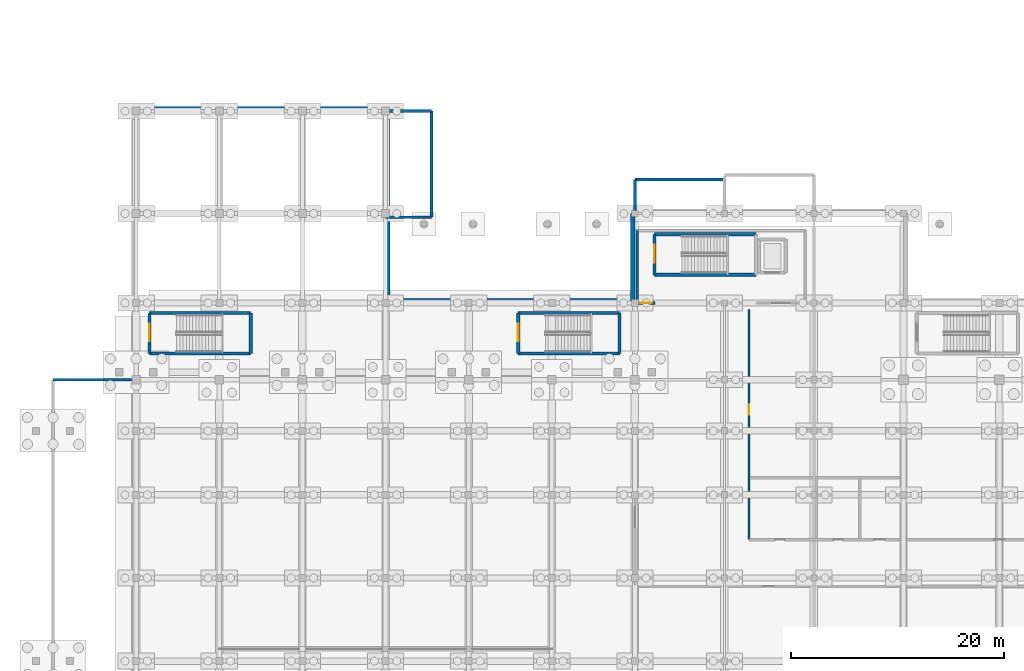
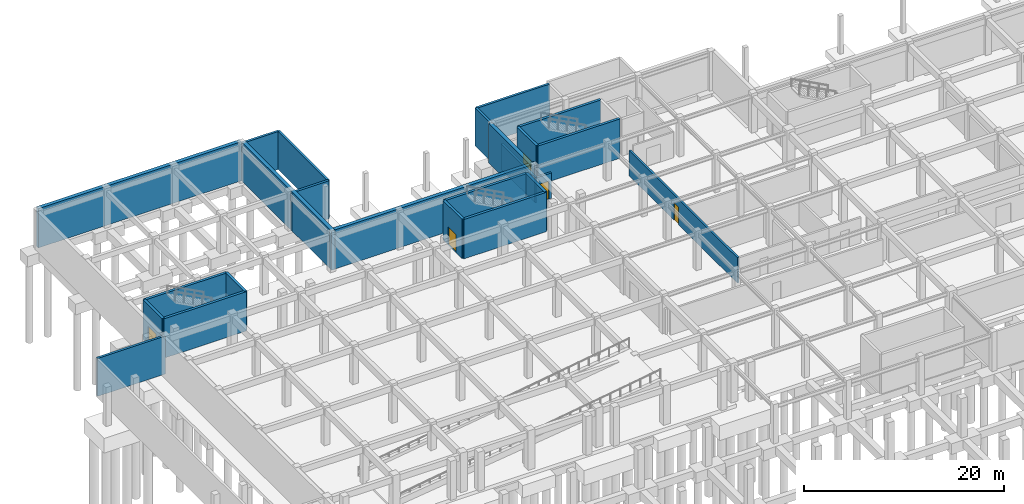
# One storey, part 18 of 26: 24 walls, 5 doors, 5 openings.
"""IFC4 building model written with IfcOpenShell, lengths in metres."""

from ifc_helpers import new_model, si_unit, direction, frame, frame_2d, origin, place, context, subcontext, project, spatial, rectangle, extrude, material, layer, layer_set, type_object, element, fill, save


model = new_model("IFC4")

# Units and contexts
model_context = context("Model", 3, precision=1e-05, world=origin(), true_north=direction((0.0, 1.0)))
body_context = subcontext(model_context, "Body", "Model", "MODEL_VIEW")
ifc_project = project(units=[si_unit("LENGTHUNIT", "METRE"), si_unit("AREAUNIT", "SQUARE_METRE"), si_unit("VOLUMEUNIT", "CUBIC_METRE"), si_unit("PLANEANGLEUNIT", "RADIAN"), si_unit("MASSUNIT", "GRAM", prefix="KILO")], contexts=[model_context])

# Site, building, storey
site_placement = place(None, origin())
site = spatial("IfcSite", under=ifc_project, at=site_placement, CompositionType="ELEMENT")
building_placement = place(site_placement, origin())
building = spatial("IfcBuilding", under=site, at=building_placement, Name="Tizgana Railside Sports Hall", CompositionType="ELEMENT")
storey_placement = place(building_placement, frame((0.0, 0.0, -4.800048828125)))
storey = spatial("IfcBuildingStorey", under=building, at=storey_placement, Name="B1", CompositionType="ELEMENT", Elevation=-4.800048828125)

# Walls
ifc_material_1 = material(Name="Concrete C35/45", Category="concrete")
ifc_layer_1 = layer(ifc_material_1, 0.419921875, Name="Concrete C35/45")
ifc_layer_set_1 = layer_set([ifc_layer_1], Name="Concrete C35/45")
wall_type_1 = type_object("IfcWallType", Name="Basement Retaining Wall 420", PredefinedType="USERDEFINED", material=ifc_layer_set_1)
wall_1_placement = place(storey_placement, frame((54.3798828125, 88.800048828125, 0.0), z_axis=(0.0, 0.0, 1.0), x_axis=(0.0, -1.0, 0.0)))
element("IfcWall", 1, at=wall_1_placement, inside=storey, type_object=wall_type_1, Name="B1 Retaining Wall WAL-0012", ObjectType="RETAINING", PredefinedType="USERDEFINED", context=body_context, shape_type="SweptSolid", body=[
    extrude(rectangle(XDim=8.400146484375, YDim=0.419921875, at=frame_2d((4.2001953125, 0.0))), origin(), (0.0, 0.0, 1.0), 4.780029296875),
])
wall_2_placement = place(storey_placement, frame((54.794921875, 80.6201171875, 0.0), z_axis=(0.0, 0.0, 1.0), x_axis=(-1.0, 0.0, 0.0)))
element("IfcWall", 2, at=wall_2_placement, inside=storey, type_object=wall_type_1, Name="B1 Retaining Wall WAL-0013", ObjectType="RETAINING", PredefinedType="USERDEFINED", context=body_context, shape_type="SweptSolid", body=[
    extrude(rectangle(XDim=23.594970703125, YDim=0.419921875, at=frame_2d((11.79736328125, 0.0))), origin(), (0.0, 0.0, 1.0), 4.780029296875),
])
wall_3_placement = place(storey_placement, frame((31.419921875, 80.39990234375, 0.0), z_axis=(0.0, 0.0, 1.0), x_axis=(0.0, 1.0, 0.0)))
element("IfcWall", 3, at=wall_3_placement, inside=storey, type_object=wall_type_1, Name="B1 Retaining Wall WAL-0014", ObjectType="RETAINING", PredefinedType="USERDEFINED", context=body_context, shape_type="SweptSolid", body=[
    extrude(rectangle(XDim=18.0, YDim=0.419921875, at=frame_2d((9.0, 0.0))), origin(), (0.0, 0.0, 1.0), 4.780029296875),
])
wall_4_placement = place(storey_placement, frame((31.199951171875, 98.6201171875, 0.0), z_axis=(0.0, 0.0, 1.0), x_axis=(-1.0, 0.0, 0.0)))
element("IfcWall", 4, at=wall_4_placement, inside=storey, type_object=wall_type_1, Name="B1 Retaining Wall WAL-0015", ObjectType="RETAINING", PredefinedType="USERDEFINED", context=body_context, shape_type="SweptSolid", body=[
    extrude(rectangle(XDim=23.39990234375, YDim=0.419921875, at=frame_2d((11.699951171875, 0.0))), origin(), (0.0, 0.0, 1.0), 4.780029296875),
])
ifc_material_2 = material(Name="Concrete C40/50", Category="concrete")
ifc_layer_2 = layer(ifc_material_2, 0.300048828125, Name="Concrete C40/50")
ifc_layer_set_2 = layer_set([ifc_layer_2], Name="Concrete C40/50")
wall_type_2 = type_object("IfcWallType", Name="Core Shear Wall 300", PredefinedType="SHEAR", material=ifc_layer_set_2)
for number, where, z_axis, x_axis, name in (
    (5, (65.949951171875, 83.050048828125, 0.0), (0.0, 0.0, 1.0), (-1.0, 0.0, 0.0), "B1 C4 Shaft Wall S"),
    (6, (56.449951171875, 86.85009765625, 0.0), (0.0, 0.0, 1.0), (1.0, 0.0, 0.0), "B1 C4 Shaft Wall N"),
):
    element("IfcWall", number, at=place(storey_placement, frame(where, z_axis=z_axis, x_axis=x_axis)), inside=storey, type_object=wall_type_2, Name=name, PredefinedType="SHEAR", context=body_context, shape_type="SweptSolid", body=[
        extrude(rectangle(XDim=9.5, YDim=0.300048828125, at=frame_2d((4.75, 0.0))), origin(), (0.0, 0.0, 1.0), 4.800048828125),
    ])

# Wall, opening, door
wall_5_placement = place(storey_placement, frame((56.449951171875, 83.050048828125, 0.0), z_axis=(0.0, 0.0, 1.0), x_axis=(0.0, 1.0, 0.0)))
wall_5 = element("IfcWall", 7, at=wall_5_placement, inside=storey, type_object=wall_type_2, Name="B1 C4 Shaft Wall W", PredefinedType="SHEAR", context=body_context, shape_type="SweptSolid", body=[
    extrude(rectangle(XDim=3.800048828125, YDim=0.300048828125, at=frame_2d((1.89990234375, 0.0))), origin(), (0.0, 0.0, 1.0), 4.800048828125),
])
opening_1_placement = place(wall_5_placement, frame((1.14990234375, 0.0, 0.0)))
opening_1 = element("IfcOpeningElement", 8, at=opening_1_placement, cuts=wall_5, Name="Opening D-0071", PredefinedType="OPENING", context=body_context, shape_type="SweptSolid", body=[
    extrude(rectangle(XDim=1.64990234375, YDim=2.199951171875, at=frame_2d((0.824951171875, 1.10009765625))), frame((0.0, 0.159912109375, 0.0), z_axis=(0.0, -1.0, 0.0), x_axis=(1.0, 0.0, 0.0)), (0.0, 0.0, 1.0), 0.320068359375),
])
ifc_material_3 = material(Name="Timber fire leaf", Category="wood")
door_type_1 = type_object("IfcDoorType", Name="Stair Core Double Fire Door 1650x2200", OperationType="NOTDEFINED", PredefinedType="DOOR", material=ifc_material_3)
door_1_placement = place(opening_1_placement, origin())
door_1 = element("IfcDoor", 9, at=door_1_placement, inside=storey, type_object=door_type_1, Name="B1 Door D-0071", OperationType="DOUBLE_DOOR_SINGLE_SWING", OverallHeight=2.199951171875, OverallWidth=1.64990234375, PredefinedType="DOOR", context=body_context, shape_type="SweptSolid", body=[
    extrude(rectangle(XDim=1.64990234375, YDim=2.199951171875, at=frame_2d((0.824951171875, 1.10009765625))), frame((0.0, 0.02490234375, 0.0), z_axis=(0.0, -1.0, 0.0), x_axis=(1.0, 0.0, 0.0)), (0.0, 0.0, 1.0), 0.050048828125),
])
fill(opening_1, door_1)

# Walls
for number, where, z_axis, x_axis, name in (
    (10, (53.14990234375, 75.64990234375, 0.0), (0.0, 0.0, 1.0), (-1.0, 0.0, 0.0), "B1 C6 Shaft Wall S"),
    (11, (43.64990234375, 79.449951171875, 0.0), (0.0, 0.0, 1.0), (1.0, 0.0, 0.0), "B1 C6 Shaft Wall N"),
):
    element("IfcWall", number, at=place(storey_placement, frame(where, z_axis=z_axis, x_axis=x_axis)), inside=storey, type_object=wall_type_2, Name=name, PredefinedType="SHEAR", context=body_context, shape_type="SweptSolid", body=[
        extrude(rectangle(XDim=9.5, YDim=0.300048828125, at=frame_2d((4.75, 0.0))), origin(), (0.0, 0.0, 1.0), 4.800048828125),
    ])

# Wall, opening, door
wall_6_placement = place(storey_placement, frame((43.64990234375, 75.64990234375, 0.0), z_axis=(0.0, 0.0, 1.0), x_axis=(0.0, 1.0, 0.0)))
wall_6 = element("IfcWall", 12, at=wall_6_placement, inside=storey, type_object=wall_type_2, Name="B1 C6 Shaft Wall W", PredefinedType="SHEAR", context=body_context, shape_type="SweptSolid", body=[
    extrude(rectangle(XDim=3.800048828125, YDim=0.300048828125, at=frame_2d((1.89990234375, 0.0))), origin(), (0.0, 0.0, 1.0), 4.800048828125),
])
opening_2_placement = place(wall_6_placement, frame((1.14990234375, 0.0, 0.0)))
opening_2 = element("IfcOpeningElement", 13, at=opening_2_placement, cuts=wall_6, Name="Opening D-0087", PredefinedType="OPENING", context=body_context, shape_type="SweptSolid", body=[
    extrude(rectangle(XDim=1.64990234375, YDim=2.199951171875, at=frame_2d((0.824951171875, 1.10009765625))), frame((0.0, 0.159912109375, 0.0), z_axis=(0.0, -1.0, 0.0), x_axis=(1.0, 0.0, 0.0)), (0.0, 0.0, 1.0), 0.320068359375),
])
door_2_placement = place(opening_2_placement, origin())
door_2 = element("IfcDoor", 14, at=door_2_placement, inside=storey, type_object=door_type_1, Name="B1 Door D-0087", OperationType="DOUBLE_DOOR_SINGLE_SWING", OverallHeight=2.199951171875, OverallWidth=1.64990234375, PredefinedType="DOOR", context=body_context, shape_type="SweptSolid", body=[
    extrude(rectangle(XDim=1.64990234375, YDim=2.199951171875, at=frame_2d((0.824951171875, 1.10009765625))), frame((0.0, 0.02490234375, 0.0), z_axis=(0.0, -1.0, 0.0), x_axis=(1.0, 0.0, 0.0)), (0.0, 0.0, 1.0), 0.050048828125),
])
fill(opening_2, door_2)

# Walls
wall_7_placement = place(storey_placement, frame((53.14990234375, 75.64990234375, 0.0), z_axis=(0.0, 0.0, 1.0), x_axis=(0.0, 1.0, 0.0)))
element("IfcWall", 15, at=wall_7_placement, inside=storey, type_object=wall_type_2, Name="B1 C6 Shaft Wall E", PredefinedType="SHEAR", context=body_context, shape_type="SweptSolid", body=[
    extrude(rectangle(XDim=3.800048828125, YDim=0.300048828125, at=frame_2d((1.89990234375, 0.0))), origin(), (0.0, 0.0, 1.0), 4.800048828125),
])
for number, where, z_axis, x_axis, name in (
    (16, (18.550048828125, 75.64990234375, 0.0), (0.0, 0.0, 1.0), (-1.0, 0.0, 0.0), "B1 C7 Shaft Wall S"),
    (17, (9.050048828125, 79.449951171875, 0.0), (0.0, 0.0, 1.0), (1.0, 0.0, 0.0), "B1 C7 Shaft Wall N"),
):
    element("IfcWall", number, at=place(storey_placement, frame(where, z_axis=z_axis, x_axis=x_axis)), inside=storey, type_object=wall_type_2, Name=name, PredefinedType="SHEAR", context=body_context, shape_type="SweptSolid", body=[
        extrude(rectangle(XDim=9.5, YDim=0.300048828125, at=frame_2d((4.75, 0.0))), origin(), (0.0, 0.0, 1.0), 4.800048828125),
    ])

# Wall, opening, door
wall_8_placement = place(storey_placement, frame((9.050048828125, 75.64990234375, 0.0), z_axis=(0.0, 0.0, 1.0), x_axis=(0.0, 1.0, 0.0)))
wall_8 = element("IfcWall", 18, at=wall_8_placement, inside=storey, type_object=wall_type_2, Name="B1 C7 Shaft Wall W", PredefinedType="SHEAR", context=body_context, shape_type="SweptSolid", body=[
    extrude(rectangle(XDim=3.800048828125, YDim=0.300048828125, at=frame_2d((1.89990234375, 0.0))), origin(), (0.0, 0.0, 1.0), 4.800048828125),
])
opening_3_placement = place(wall_8_placement, frame((1.14990234375, 0.0, 0.0)))
opening_3 = element("IfcOpeningElement", 19, at=opening_3_placement, cuts=wall_8, Name="Opening D-0090", PredefinedType="OPENING", context=body_context, shape_type="SweptSolid", body=[
    extrude(rectangle(XDim=1.64990234375, YDim=2.199951171875, at=frame_2d((0.824951171875, 1.10009765625))), frame((0.0, 0.159912109375, 0.0), z_axis=(0.0, -1.0, 0.0), x_axis=(1.0, 0.0, 0.0)), (0.0, 0.0, 1.0), 0.320068359375),
])
door_3_placement = place(opening_3_placement, origin())
door_3 = element("IfcDoor", 20, at=door_3_placement, inside=storey, type_object=door_type_1, Name="B1 Door D-0090", OperationType="DOUBLE_DOOR_SINGLE_SWING", OverallHeight=2.199951171875, OverallWidth=1.64990234375, PredefinedType="DOOR", context=body_context, shape_type="SweptSolid", body=[
    extrude(rectangle(XDim=1.64990234375, YDim=2.199951171875, at=frame_2d((0.824951171875, 1.10009765625))), frame((0.0, 0.02490234375, 0.0), z_axis=(0.0, -1.0, 0.0), x_axis=(1.0, 0.0, 0.0)), (0.0, 0.0, 1.0), 0.050048828125),
])
fill(opening_3, door_3)

# Wall
wall_9_placement = place(storey_placement, frame((18.550048828125, 75.64990234375, 0.0), z_axis=(0.0, 0.0, 1.0), x_axis=(0.0, 1.0, 0.0)))
element("IfcWall", 21, at=wall_9_placement, inside=storey, type_object=wall_type_2, Name="B1 C7 Shaft Wall E", PredefinedType="SHEAR", context=body_context, shape_type="SweptSolid", body=[
    extrude(rectangle(XDim=3.800048828125, YDim=0.300048828125, at=frame_2d((1.89990234375, 0.0))), origin(), (0.0, 0.0, 1.0), 4.800048828125),
])

# Wall, opening, door
ifc_material_4 = material(Name="Masonry blockwork", Category="masonry")
ifc_layer_3 = layer(ifc_material_4, 0.219970703125, Name="Masonry blockwork")
ifc_layer_set_3 = layer_set([ifc_layer_3], Name="Masonry blockwork")
wall_type_3 = type_object("IfcWallType", Name="Equipment Store Fire Wall 220", PredefinedType="STANDARD", material=ifc_layer_set_3)
wall_10_placement = place(storey_placement, frame((65.300048828125, 58.199951171875, 0.0), z_axis=(0.0, 0.0, 1.0), x_axis=(0.0, 1.0, 0.0)))
wall_10 = element("IfcWall", 22, at=wall_10_placement, inside=storey, type_object=wall_type_3, Name="B1 Partition PWAL-0232", PredefinedType="STANDARD", context=body_context, shape_type="SweptSolid", body=[
    extrude(rectangle(XDim=21.60009765625, YDim=0.219970703125, at=frame_2d((10.800048828125, 0.0))), origin(), (0.0, 0.0, 1.0), 3.10009765625),
])
opening_4_placement = place(wall_10_placement, frame((11.7099609375, 0.0, 0.0)))
opening_4 = element("IfcOpeningElement", 23, at=opening_4_placement, cuts=wall_10, Name="Opening D-0232", PredefinedType="OPENING", context=body_context, shape_type="SweptSolid", body=[
    extrude(rectangle(XDim=0.97998046875, YDim=2.14990234375, at=frame_2d((0.489990234375, 1.074951171875))), frame((0.0, 0.119873046875, 0.0), z_axis=(0.0, -1.0, 0.0), x_axis=(1.0, 0.0, 0.0)), (0.0, 0.0, 1.0), 0.239990234375),
])
ifc_material_5 = material(Name="Solid beech timber", Category="wood")
door_type_2 = type_object("IfcDoorType", Name="Athlete Changing Room Door 980x2150", OperationType="NOTDEFINED", PredefinedType="DOOR", material=ifc_material_5)
door_4_placement = place(opening_4_placement, origin())
door_4 = element("IfcDoor", 24, at=door_4_placement, inside=storey, type_object=door_type_2, Name="B1 Door D-0232", OperationType="SINGLE_SWING_LEFT", OverallHeight=2.14990234375, OverallWidth=0.97998046875, PredefinedType="DOOR", context=body_context, shape_type="SweptSolid", body=[
    extrude(rectangle(XDim=0.97998046875, YDim=2.14990234375, at=frame_2d((0.489990234375, 1.074951171875))), frame((0.0, 0.02490234375, 0.0), z_axis=(0.0, -1.0, 0.0), x_axis=(1.0, 0.0, 0.0)), (0.0, 0.0, 1.0), 0.050048828125),
])
fill(opening_4, door_4)

# Walls
ifc_material_6 = material(Name="Precast concrete C40/50", Category="concrete")
ifc_layer_4 = layer(ifc_material_6, 0.27001953125, Name="Precast concrete C40/50")
ifc_layer_set_4 = layer_set([ifc_layer_4], Name="Precast concrete C40/50")
wall_type_4 = type_object("IfcWallType", Name="Exterior Studio Facade Wall 270", PredefinedType="STANDARD", material=ifc_layer_set_4)
wall_11_placement = place(storey_placement, frame((7.800048828125, 73.199951171875, 0.0), z_axis=(0.0, 0.0, 1.0), x_axis=(-1.0, 0.0, 0.0)))
element("IfcWall", 25, at=wall_11_placement, inside=storey, type_object=wall_type_4, Name="B1 Apron Plinth", PredefinedType="STANDARD", context=body_context, shape_type="SweptSolid", body=[
    extrude(rectangle(XDim=7.800048828125, YDim=0.27001953125, at=frame_2d((3.89990234375, 0.0))), origin(), (0.0, 0.0, 1.0), 4.630126953125),
])
wall_12_placement = place(storey_placement, frame((63.0, 92.0, 0.0), z_axis=(0.0, 0.0, 1.0), x_axis=(-1.0, 0.0, 0.0)))
element("IfcWall", 26, at=wall_12_placement, inside=storey, type_object=wall_type_4, Name="B1 Apron Plinth", PredefinedType="STANDARD", context=body_context, shape_type="SweptSolid", body=[
    extrude(rectangle(XDim=8.39990234375, YDim=0.27001953125, at=frame_2d((4.199951171875, 0.0))), origin(), (0.0, 0.0, 1.0), 4.630126953125),
])
wall_13_placement = place(storey_placement, frame((54.60009765625, 92.0, 0.0), z_axis=(0.0, 0.0, 1.0), x_axis=(0.0, -1.0, 0.0)))
element("IfcWall", 27, at=wall_13_placement, inside=storey, type_object=wall_type_4, Name="B1 Apron Plinth", PredefinedType="STANDARD", context=body_context, shape_type="SweptSolid", body=[
    extrude(rectangle(XDim=3.199951171875, YDim=0.27001953125, at=frame_2d((1.60009765625, 0.0))), origin(), (0.0, 0.0, 1.0), 4.630126953125),
])
wall_14_placement = place(storey_placement, frame((31.199951171875, 88.449951171875, 0.0), z_axis=(0.0, 0.0, 1.0), x_axis=(1.0, 0.0, 0.0)))
element("IfcWall", 28, at=wall_14_placement, inside=storey, type_object=wall_type_4, Name="B1 Apron Plinth", PredefinedType="STANDARD", context=body_context, shape_type="SweptSolid", body=[
    extrude(rectangle(XDim=4.300048828125, YDim=0.27001953125, at=frame_2d((2.14990234375, 0.0))), origin(), (0.0, 0.0, 1.0), 4.630126953125),
])
wall_15_placement = place(storey_placement, frame((35.5, 88.449951171875, 0.0), z_axis=(0.0, 0.0, 1.0), x_axis=(0.0, 1.0, 0.0)))
element("IfcWall", 29, at=wall_15_placement, inside=storey, type_object=wall_type_4, Name="B1 Apron Plinth", PredefinedType="STANDARD", context=body_context, shape_type="SweptSolid", body=[
    extrude(rectangle(XDim=9.949951171875, YDim=0.27001953125, at=frame_2d((4.97509765625, 0.0))), origin(), (0.0, 0.0, 1.0), 4.630126953125),
])
wall_16_placement = place(storey_placement, frame((35.5, 98.39990234375, 0.0), z_axis=(0.0, 0.0, 1.0), x_axis=(-1.0, 0.0, 0.0)))
element("IfcWall", 30, at=wall_16_placement, inside=storey, type_object=wall_type_4, Name="B1 Apron Plinth", PredefinedType="STANDARD", context=body_context, shape_type="SweptSolid", body=[
    extrude(rectangle(XDim=4.300048828125, YDim=0.27001953125, at=frame_2d((2.14990234375, 0.0))), origin(), (0.0, 0.0, 1.0), 4.630126953125),
])

# Wall, opening, door
ifc_layer_5 = layer(ifc_material_1, 0.239990234375, Name="Concrete C35/45")
ifc_layer_set_5 = layer_set([ifc_layer_5], Name="Concrete C35/45")
wall_type_5 = type_object("IfcWallType", Name="Firefighting Lobby Wall 240", PredefinedType="STANDARD", material=ifc_layer_set_5)
wall_17_placement = place(storey_placement, frame((54.594970703125, 80.39990234375, 0.0), z_axis=(0.0, 0.0, 1.0), x_axis=(1.0, 0.0, 0.0)))
wall_17 = element("IfcWall", 31, at=wall_17_placement, inside=storey, type_object=wall_type_5, Name="B1 Partition PWAL-0310", PredefinedType="STANDARD", context=body_context, shape_type="SweptSolid", body=[
    extrude(rectangle(XDim=1.905029296875, YDim=0.239990234375, at=frame_2d((0.95263671875, 0.0))), origin(), (0.0, 0.0, 1.0), 3.10009765625),
])
opening_5_placement = place(wall_17_placement, frame((0.5048828125, 0.0, 0.0)))
opening_5 = element("IfcOpeningElement", 32, at=opening_5_placement, cuts=wall_17, Name="Opening D-0288", PredefinedType="OPENING", context=body_context, shape_type="SweptSolid", body=[
    extrude(rectangle(XDim=1.10009765625, YDim=2.199951171875, at=frame_2d((0.550048828125, 1.10009765625))), frame((0.0, 0.1298828125, 0.0), z_axis=(0.0, -1.0, 0.0), x_axis=(1.0, 0.0, 0.0)), (0.0, 0.0, 1.0), 0.260009765625),
])
door_type_3 = type_object("IfcDoorType", Name="Firefighting Lobby Fire Door 1100x2200", OperationType="NOTDEFINED", PredefinedType="DOOR", material=ifc_material_3)
door_5_placement = place(opening_5_placement, origin())
door_5 = element("IfcDoor", 33, at=door_5_placement, inside=storey, type_object=door_type_3, Name="B1 Door D-0288", OperationType="SINGLE_SWING_LEFT", OverallHeight=2.199951171875, OverallWidth=1.10009765625, PredefinedType="DOOR", context=body_context, shape_type="SweptSolid", body=[
    extrude(rectangle(XDim=1.10009765625, YDim=2.199951171875, at=frame_2d((0.550048828125, 1.10009765625))), frame((0.0, 0.02490234375, 0.0), z_axis=(0.0, -1.0, 0.0), x_axis=(1.0, 0.0, 0.0)), (0.0, 0.0, 1.0), 0.050048828125),
])
fill(opening_5, door_5)

# Wall
wall_18_placement = place(storey_placement, frame((54.800048828125, 80.39990234375, 0.0), z_axis=(0.0, 0.0, 1.0), x_axis=(0.0, 1.0, 0.0)))
element("IfcWall", 34, at=wall_18_placement, inside=storey, type_object=wall_type_5, Name="B1 Partition PWAL-0311", PredefinedType="STANDARD", context=body_context, shape_type="SweptSolid", body=[
    extrude(rectangle(XDim=6.800048828125, YDim=0.239990234375, at=frame_2d((3.39990234375, 0.0))), origin(), (0.0, 0.0, 1.0), 3.10009765625),
])

save(model, "model.ifc")
